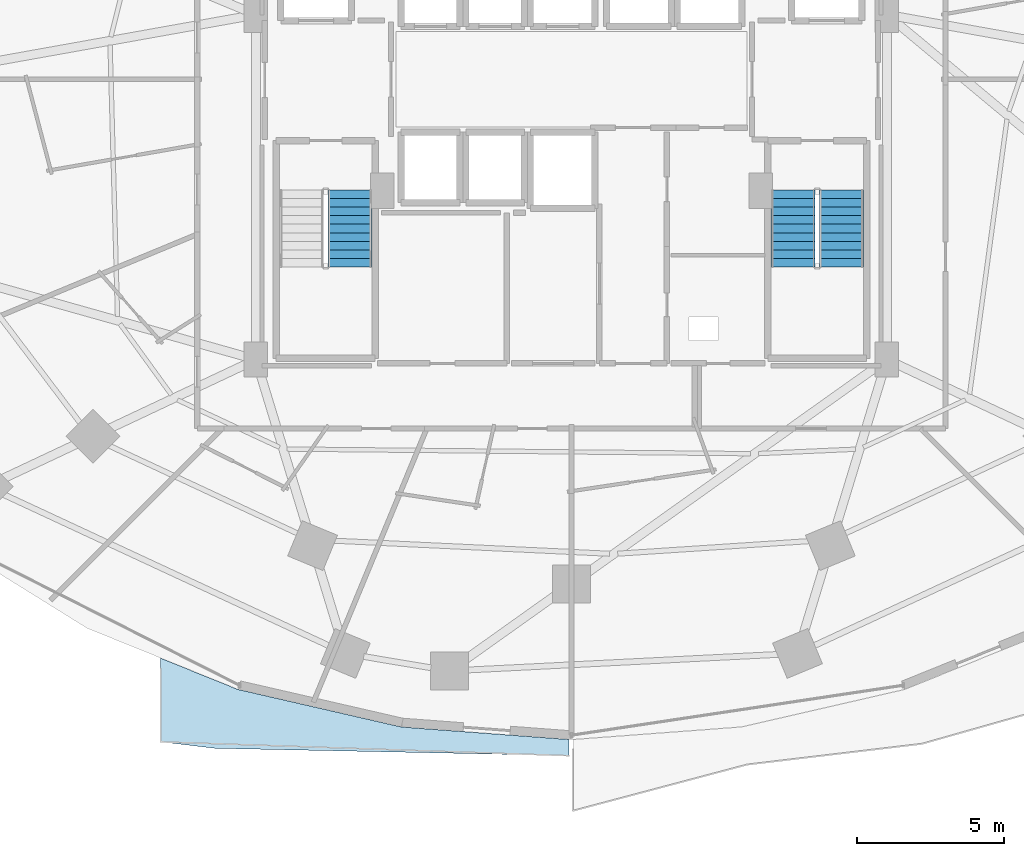
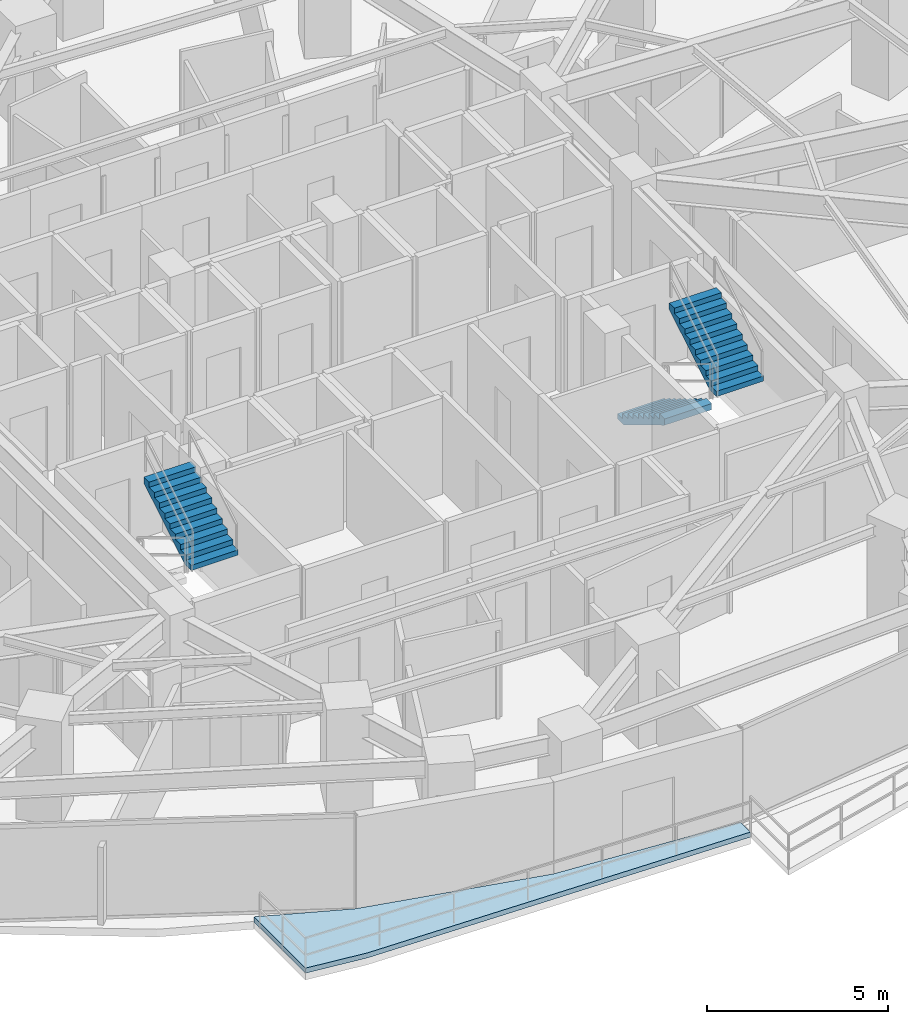
# One storey, part 32 of 36: 3 stair flights, 1 roof, 2 elements without a shape of their own.
"""IFC4 building model written with IfcOpenShell, lengths in metres."""

from ifc_helpers import new_model, si_unit, direction, frame, origin, place, context, subcontext, project, spatial, polyline, outline, extrude, material, layer, layer_set, type_object, element, aggregate, save


model = new_model("IFC4")

# Units and contexts
model_context = context("Model", 3, precision=1e-05, world=origin(), true_north=direction((0.0, 1.0)))
body_context = subcontext(model_context, "Body", "Model", "MODEL_VIEW")
ifc_project = project(units=[si_unit("LENGTHUNIT", "METRE"), si_unit("AREAUNIT", "SQUARE_METRE"), si_unit("VOLUMEUNIT", "CUBIC_METRE"), si_unit("PLANEANGLEUNIT", "RADIAN"), si_unit("MASSUNIT", "GRAM", prefix="KILO")], contexts=[model_context])

# Site, building, storey
site_placement = place(None, origin())
site = spatial("IfcSite", under=ifc_project, at=site_placement, CompositionType="ELEMENT")
building_placement = place(site_placement, origin())
building = spatial("IfcBuilding", under=site, at=building_placement, Name="Vorneva Point Tower", CompositionType="ELEMENT")
storey_placement = place(building_placement, frame((0.0, 0.0, 24.0)))
storey = spatial("IfcBuildingStorey", under=building, at=storey_placement, Name="L05", CompositionType="ELEMENT", Elevation=24.0)

# Stair, stair flight
ifc_material_1 = material(Name="Concrete B50 (C40/50)", Category="concrete")
stair_type = type_object("IfcStairType", Name="ST-DOG-1500", PredefinedType="HALF_TURN_STAIR", material=ifc_material_1)
stair_1_placement = place(storey_placement, origin())
stair_1 = element("IfcStair", 1, at=stair_1_placement, inside=storey, type_object=stair_type, Name="L05 ST1", PredefinedType="HALF_TURN_STAIR")
stair_flight_type = type_object("IfcStairFlightType", Name="STF-1500", PredefinedType="STRAIGHT", material=ifc_material_1)
stair_flight_1_placement = place(storey_placement, frame((30.449951171875, 19.610107421875, 1.75), z_axis=(0.0, 0.0, 1.0), x_axis=(0.0, 1.0, 0.0)))
stair_flight_1 = element("IfcStairFlight", 2, at=stair_flight_1_placement, type_object=stair_flight_type, Name="ST1 flight 2", NumberOfRisers=10, NumberOfTreads=9, PredefinedType="STRAIGHT", RiserHeight=0.175, TreadLength=0.29, context=body_context, shape_type="SweptSolid", body=[
    extrude(outline(polyline([(0.0, 0.0), (0.0, 0.175048828125), (0.2900390625, 0.175048828125), (0.2900390625, 0.35009765625), (0.580078125, 0.35009765625), (0.580078125, 0.52490234375), (0.8701171875, 0.52490234375), (0.8701171875, 0.699951171875), (1.159912109375, 0.699951171875), (1.159912109375, 0.875), (1.449951171875, 0.875), (1.449951171875, 1.050048828125), (1.739990234375, 1.050048828125), (1.739990234375, 1.22509765625), (2.030029296875, 1.22509765625), (2.030029296875, 1.39990234375), (2.320068359375, 1.39990234375), (2.320068359375, 1.574951171875), (2.610107421875, 1.574951171875), (2.610107421875, 1.75), (2.610107421875, 1.36474609375), (0.34814453125, 0.0), (0.0, 0.0)])), frame((0.0, 0.75, 0.0), z_axis=(0.0, -1.0, 0.0), x_axis=(1.0, 0.0, 0.0)), (0.0, 0.0, 1.0), 1.5),
])
aggregate(stair_1, [stair_flight_1])

# Stair, stair flights
stair_2_placement = place(storey_placement, origin())
stair_2 = element("IfcStair", 3, at=stair_2_placement, inside=storey, type_object=stair_type, Name="L05 ST2", PredefinedType="HALF_TURN_STAIR")
stair_flight_2_placement = place(storey_placement, frame((45.550048828125, 22.219970703125, 0.0), z_axis=(0.0, 0.0, 1.0), x_axis=(0.0, -1.0, 0.0)))
stair_flight_2 = element("IfcStairFlight", 4, at=stair_flight_2_placement, type_object=stair_flight_type, Name="ST2 flight 1", NumberOfRisers=10, NumberOfTreads=9, PredefinedType="STRAIGHT", RiserHeight=0.175, TreadLength=0.29, context=body_context, shape_type="SweptSolid", body=[
    extrude(outline(polyline([(0.0, 0.0), (0.0, 0.175048828125), (0.2900390625, 0.175048828125), (0.2900390625, 0.35009765625), (0.580078125, 0.35009765625), (0.580078125, 0.52490234375), (0.8701171875, 0.52490234375), (0.8701171875, 0.699951171875), (1.159912109375, 0.699951171875), (1.159912109375, 0.875), (1.449951171875, 0.875), (1.449951171875, 1.050048828125), (1.739990234375, 1.050048828125), (1.739990234375, 1.22509765625), (2.030029296875, 1.22509765625), (2.030029296875, 1.39990234375), (2.320068359375, 1.39990234375), (2.320068359375, 1.574951171875), (2.610107421875, 1.574951171875), (2.610107421875, 1.75), (2.610107421875, 1.36474609375), (0.34814453125, 0.0), (0.0, 0.0)])), frame((0.0, 0.75, 0.0), z_axis=(0.0, -1.0, 0.0), x_axis=(1.0, 0.0, 0.0)), (0.0, 0.0, 1.0), 1.5),
])
stair_flight_3_placement = place(storey_placement, frame((47.199951171875, 19.610107421875, 1.75), z_axis=(0.0, 0.0, 1.0), x_axis=(0.0, 1.0, 0.0)))
stair_flight_3 = element("IfcStairFlight", 5, at=stair_flight_3_placement, type_object=stair_flight_type, Name="ST2 flight 2", NumberOfRisers=10, NumberOfTreads=9, PredefinedType="STRAIGHT", RiserHeight=0.175, TreadLength=0.29, context=body_context, shape_type="SweptSolid", body=[
    extrude(outline(polyline([(0.0, 0.0), (0.0, 0.175048828125), (0.2900390625, 0.175048828125), (0.2900390625, 0.35009765625), (0.580078125, 0.35009765625), (0.580078125, 0.52490234375), (0.8701171875, 0.52490234375), (0.8701171875, 0.699951171875), (1.159912109375, 0.699951171875), (1.159912109375, 0.875), (1.449951171875, 0.875), (1.449951171875, 1.050048828125), (1.739990234375, 1.050048828125), (1.739990234375, 1.22509765625), (2.030029296875, 1.22509765625), (2.030029296875, 1.39990234375), (2.320068359375, 1.39990234375), (2.320068359375, 1.574951171875), (2.610107421875, 1.574951171875), (2.610107421875, 1.75), (2.610107421875, 1.36474609375), (0.34814453125, 0.0), (0.0, 0.0)])), frame((0.0, 0.75, 0.0), z_axis=(0.0, -1.0, 0.0), x_axis=(1.0, 0.0, 0.0)), (0.0, 0.0, 1.0), 1.5),
])
aggregate(stair_2, [stair_flight_2, stair_flight_3])

# Roof
ifc_material_2 = material(Name="Ballasted EPDM insulated roof build-up", Category="bitumen")
ifc_layer = layer(ifc_material_2, 0.159912109375)
ifc_layer_set = layer_set([ifc_layer], Name="Ballasted EPDM insulated roof build-up")
roof_type = type_object("IfcRoofType", Name="RFG-MEM-160", PredefinedType="FLAT_ROOF", material=ifc_layer_set)
roof_placement = place(storey_placement, frame((0.0, 0.0, -0.010009765625)))
element("IfcRoof", 6, at=roof_placement, inside=storey, type_object=roof_type, Name="L05 Podium Terrace Waterproof Roof Build-Up", PredefinedType="FLAT_ROOF", context=body_context, shape_type="SweptSolid", body=[
    extrude(outline(polyline([(37.919921875, 2.95263671875), (37.919921875, 3.501953125), (32.20556640625, 3.92822265625), (32.205078125, 3.92822265625), (32.204833984375, 3.928466796875), (26.63330078125, 5.208740234375), (26.633056640625, 5.208984375), (26.6328125, 5.208984375), (24.0, 6.275146484375), (24.0, 3.423095703125), (25.85595703125, 3.202392578125), (37.919921875, 2.95263671875)])), origin(), (0.0, 0.0, 1.0), 0.169921875),
])

save(model, "model.ifc")
